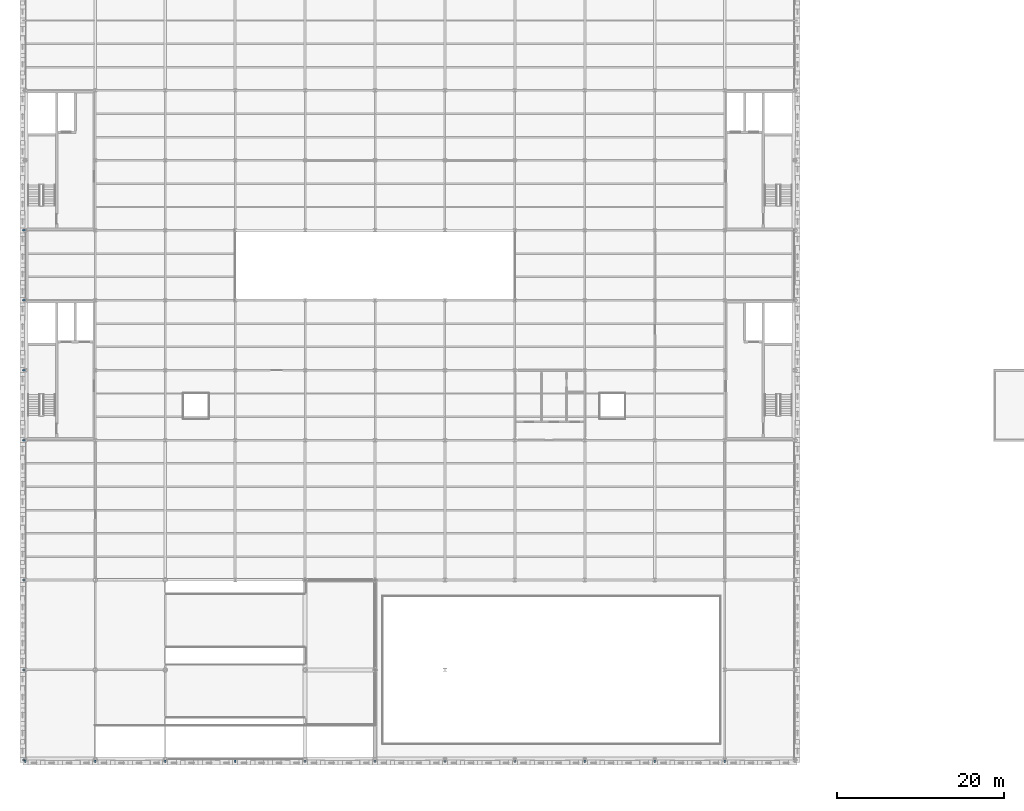
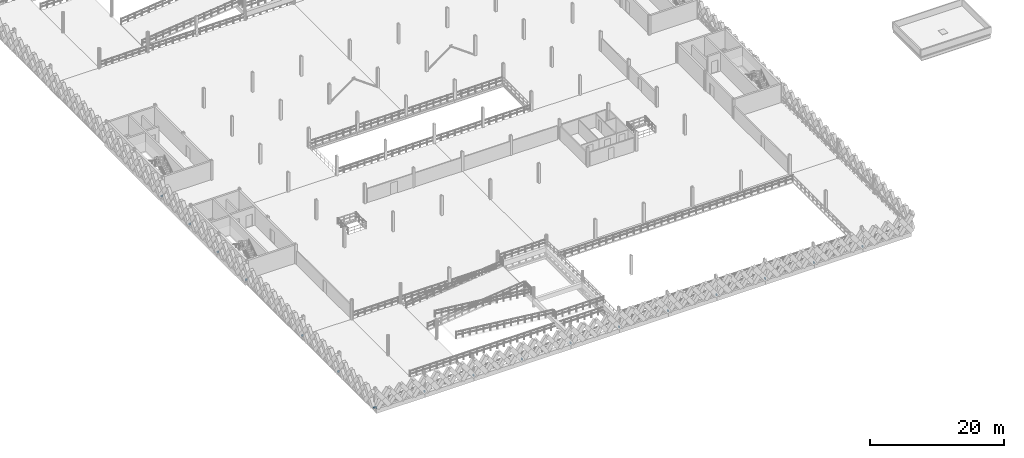
# One storey, part 35 of 62: 18 members.
"""IFC4 building model written with IfcOpenShell, lengths in metres."""

from ifc_helpers import new_model, si_unit, direction, frame, origin, origin_2d, place, context, subcontext, project, spatial, hollow_rectangle, extrude, material, material_profile, profile_set, type_object, element, save


model = new_model("IFC4")

# Units and contexts
model_context = context("Model", 3, precision=1e-05, world=origin(), true_north=direction((0.0, 1.0)))
body_context = subcontext(model_context, "Body", "Model", "MODEL_VIEW")
ifc_project = project(units=[si_unit("LENGTHUNIT", "METRE"), si_unit("AREAUNIT", "SQUARE_METRE"), si_unit("VOLUMEUNIT", "CUBIC_METRE"), si_unit("PLANEANGLEUNIT", "RADIAN"), si_unit("MASSUNIT", "GRAM", prefix="KILO"), si_unit("THERMODYNAMICTEMPERATUREUNIT", "KELVIN"), si_unit("POWERUNIT", "WATT")], contexts=[model_context])

# Site, building, storey
site_placement = place(None, origin())
site = spatial("IfcSite", under=ifc_project, at=site_placement, CompositionType="ELEMENT")
building_placement = place(site_placement, origin())
building = spatial("IfcBuilding", under=site, at=building_placement, Name="Tembeka Court Mobility Hub", CompositionType="ELEMENT")
storey_placement = place(building_placement, frame((0.0, 0.0, 16.199951171875)))
storey = spatial("IfcBuildingStorey", under=building, at=storey_placement, Name="L04", CompositionType="ELEMENT", Elevation=16.199951171875)

# Members
ifc_material = material(Name="Steel S355", Category="steel")
ifc_material_profile = material_profile(ifc_material, hollow_rectangle(XDim=0.14990234375, YDim=0.300048828125, WallThickness=0.010009765625, at=origin_2d()), Name="RHS 300x150x10")
ifc_profile_set = profile_set([ifc_material_profile], Name="Steel S355")
member_type = type_object("IfcMemberType", Name="MEM-ST03", PredefinedType="STRUT", material=ifc_profile_set)
for number, where, z_axis, x_axis, name in (
    (1, (0.0, 0.0, 0.02001953125), (0.0, -1.0, 0.0), (1.0, 0.0, 0.0), "Lattice outrigger tie SR03 (L04-Y-0)"),
    (2, (8.39990234375, 0.0, 0.02001953125), (0.0, -1.0, 0.0), (1.0, 0.0, 0.0), "Lattice outrigger tie SR03 (L04-Y-8)"),
    (3, (16.800048828125, 0.0, 0.02001953125), (0.0, -1.0, 0.0), (1.0, 0.0, 0.0), "Lattice outrigger tie SR03 (L04-Y-16)"),
    (4, (25.199951171875, 0.0, 0.02001953125), (0.0, -1.0, 0.0), (1.0, 0.0, 0.0), "Lattice outrigger tie SR03 (L04-Y-25)"),
    (5, (33.60009765625, 0.0, 0.02001953125), (0.0, -1.0, 0.0), (1.0, 0.0, 0.0), "Lattice outrigger tie SR03 (L04-Y-33)"),
    (6, (42.0, 0.0, 0.02001953125), (0.0, -1.0, 0.0), (1.0, 0.0, 0.0), "Lattice outrigger tie SR03 (L04-Y-42)"),
    (7, (50.39990234375, 0.0, 0.02001953125), (0.0, -1.0, 0.0), (1.0, 0.0, 0.0), "Lattice outrigger tie SR03 (L04-Y-50)"),
    (8, (58.800048828125, 0.0, 0.02001953125), (0.0, -1.0, 0.0), (1.0, 0.0, 0.0), "Lattice outrigger tie SR03 (L04-Y-58)"),
    (9, (67.199951171875, 0.0, 0.02001953125), (0.0, -1.0, 0.0), (1.0, 0.0, 0.0), "Lattice outrigger tie SR03 (L04-Y-67)"),
    (10, (75.60009765625, 0.0, 0.02001953125), (0.0, -1.0, 0.0), (1.0, 0.0, 0.0), "Lattice outrigger tie SR03 (L04-Y-75)"),
    (11, (84.0, 0.0, 0.02001953125), (0.0, -1.0, 0.0), (1.0, 0.0, 0.0), "Lattice outrigger tie SR03 (L04-Y-84)"),
    (12, (0.0, 0.0, 0.02001953125), (-1.0, 0.0, 0.0), (0.0, -1.0, 0.0), "Lattice outrigger tie SR03 (L04-X-0)"),
    (13, (0.0, 10.800048828125, 0.02001953125), (-1.0, 0.0, 0.0), (0.0, -1.0, 0.0), "Lattice outrigger tie SR03 (L04-X-10)"),
    (14, (0.0, 21.60009765625, 0.02001953125), (-1.0, 0.0, 0.0), (0.0, -1.0, 0.0), "Lattice outrigger tie SR03 (L04-X-21)"),
    (15, (0.0, 38.39990234375, 0.02001953125), (-1.0, 0.0, 0.0), (0.0, -1.0, 0.0), "Lattice outrigger tie SR03 (L04-X-38)"),
    (16, (0.0, 46.800048828125, 0.02001953125), (-1.0, 0.0, 0.0), (0.0, -1.0, 0.0), "Lattice outrigger tie SR03 (L04-X-46)"),
    (17, (0.0, 55.199951171875, 0.02001953125), (-1.0, 0.0, 0.0), (0.0, -1.0, 0.0), "Lattice outrigger tie SR03 (L04-X-55)"),
    (18, (0.0, 63.60009765625, 0.02001953125), (-1.0, 0.0, 0.0), (0.0, -1.0, 0.0), "Lattice outrigger tie SR03 (L04-X-63)"),
):
    element("IfcMember", number, at=place(storey_placement, frame(where, z_axis=z_axis, x_axis=x_axis)), inside=storey, type_object=member_type, Name=name, PredefinedType="STRUT", context=body_context, shape_type="SweptSolid", body=[
        extrude(hollow_rectangle(XDim=0.14990234375, YDim=0.300048828125, WallThickness=0.010009765625, at=origin_2d()), origin(), (0.0, 0.0, 1.0), 0.340087890625),
    ])

save(model, "model.ifc")
